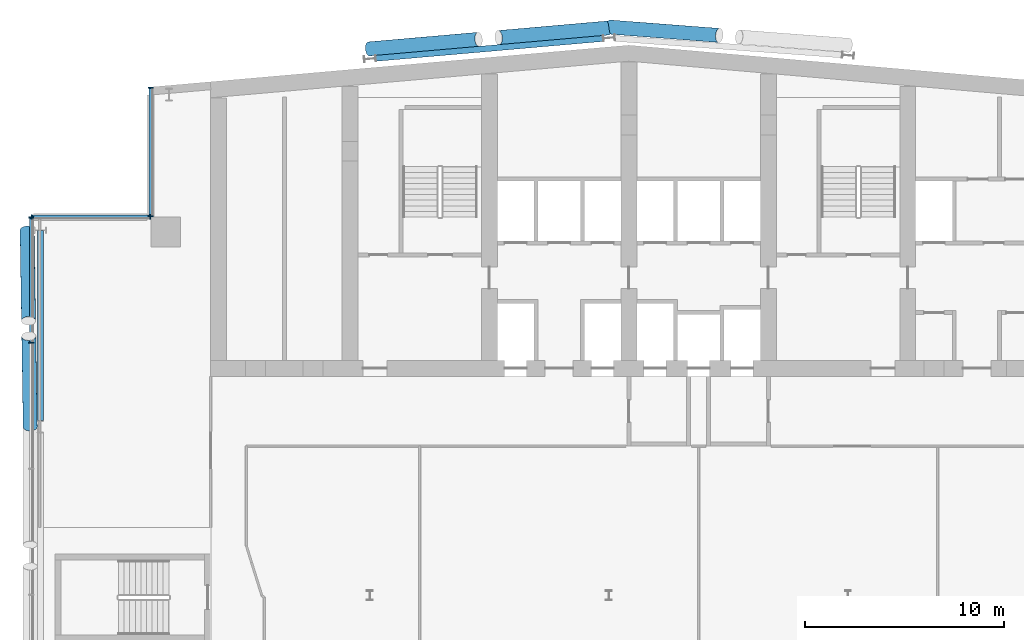
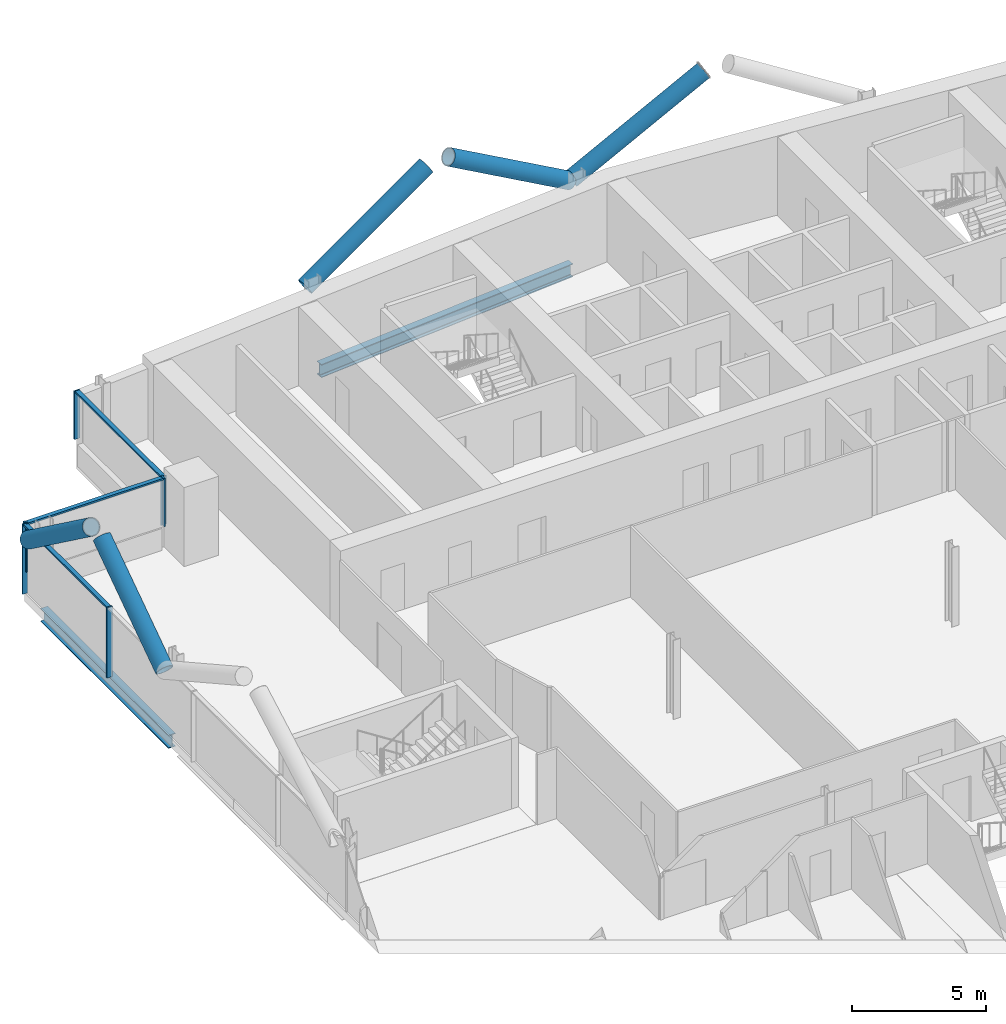
# One storey, part 9 of 26: 14 members, 2 beams, 3 elements without a shape of their own.
"""IFC4 building model written with IfcOpenShell, lengths in metres."""

from ifc_helpers import new_model, si_unit, direction, frame, origin, origin_2d, place, context, subcontext, project, spatial, rectangle, hollow_circle, i_section, extrude, material, material_profile, profile_set, type_object, element, aggregate, save


model = new_model("IFC4")

# Units and contexts
model_context = context("Model", 3, precision=1e-05, world=origin(), true_north=direction((0.0, 1.0)))
body_context = subcontext(model_context, "Body", "Model", "MODEL_VIEW")
ifc_project = project(units=[si_unit("LENGTHUNIT", "METRE"), si_unit("AREAUNIT", "SQUARE_METRE"), si_unit("VOLUMEUNIT", "CUBIC_METRE"), si_unit("PLANEANGLEUNIT", "RADIAN"), si_unit("MASSUNIT", "GRAM", prefix="KILO")], contexts=[model_context])

# Site, building, storey
site_placement = place(None, origin())
site = spatial("IfcSite", under=ifc_project, at=site_placement, CompositionType="ELEMENT")
building_placement = place(site_placement, origin())
building = spatial("IfcBuilding", under=site, at=building_placement, Name="Wharfspan Tower", CompositionType="ELEMENT")
storey_placement = place(building_placement, frame((0.0, 0.0, 184.300049)))
storey = spatial("IfcBuildingStorey", under=building, at=storey_placement, Name="L45", CompositionType="ELEMENT", Elevation=184.300049)

# Beams
ifc_material_1 = material(Name="Steel S355J2", Category="steel")
ifc_material_profile_1 = material_profile(ifc_material_1, i_section(OverallWidth=0.300049, OverallDepth=0.600098, WebThickness=0.015381, FlangeThickness=0.030029, FilletRadius=0.0271, at=origin_2d()))
ifc_profile_set_1 = profile_set([ifc_material_profile_1], Name="Steel S355J2")
beam_type = type_object("IfcBeamType", Name="Edge beam HEB 600", PredefinedType="SPANDREL", material=ifc_profile_set_1)
beam_1_placement = place(storey_placement, frame((35.705078, 50.961426, -0.699951), z_axis=(-0.996194, -0.087158, 0.0), x_axis=(0.087158, -0.996194, 0.0)))
element("IfcBeam", 1, at=beam_1_placement, inside=storey, type_object=beam_type, Name="Edge beam N1 L45 R.2 to R.1", PredefinedType="SPANDREL", context=body_context, shape_type="SweptSolid", body=[
    extrude(i_section(OverallWidth=0.300049, OverallDepth=0.600098, WebThickness=0.015381, FlangeThickness=0.030029, FilletRadius=0.0271, at=origin_2d()), origin(), (0.0, 0.0, 1.0), 11.453857),
])
beam_2_placement = place(storey_placement, frame((7.450439, 41.32666, -0.699951), z_axis=(-5.1e-05, -1.0, 0.0), x_axis=(1.0, -5.1e-05, 0.0)))
element("IfcBeam", 2, at=beam_2_placement, inside=storey, type_object=beam_type, Name="Edge beam W L45 PNRW-H.1 to PW.1", PredefinedType="SPANDREL", context=body_context, shape_type="SweptSolid", body=[
    extrude(i_section(OverallWidth=0.300049, OverallDepth=0.600098, WebThickness=0.015381, FlangeThickness=0.030029, FilletRadius=0.0271, at=origin_2d()), origin(), (0.0, 0.0, 1.0), 9.553955),
])

# Curtain wall, members
ifc_material_2 = material(Name="Aluminium 6063-T6", Category="aluminium")
curtain_wall_type = type_object("IfcCurtainWallType", Name="CURTAIN WALL PROW AND END", PredefinedType="NOTDEFINED", material=ifc_material_2)
curtain_wall_1_placement = place(storey_placement, origin())
curtain_wall_1 = element("IfcCurtainWall", 3, at=curtain_wall_1_placement, inside=storey, type_object=curtain_wall_type, Name="Curtain wall NRW-V", PredefinedType="NOTDEFINED")
ifc_material_profile_2 = material_profile(ifc_material_2, rectangle(XDim=0.23999, YDim=0.060059, at=origin_2d()))
ifc_profile_set_2 = profile_set([ifc_material_profile_2], Name="Aluminium 6063-T6")
member_type_1 = type_object("IfcMemberType", Name="MULLION PROW AND END 60x240", PredefinedType="MULLION", material=ifc_profile_set_2)
member_1_placement = place(storey_placement, frame((13.0, 48.494873, 1.0), z_axis=(0.0, 0.0, 1.0), x_axis=(1.0, 0.0, 0.0)))
member_1 = element("IfcMember", 4, at=member_1_placement, type_object=member_type_1, Name="Curtain wall NRW-V mullion 1", PredefinedType="MULLION", context=body_context, shape_type="SweptSolid", body=[
    extrude(rectangle(XDim=0.23999, YDim=0.060059, at=origin_2d()), origin(), (0.0, 0.0, 1.0), 2.199951),
])
member_2_placement = place(storey_placement, frame((13.0, 42.030029, 1.0), z_axis=(0.0, 0.0, 1.0), x_axis=(1.0, 0.0, 0.0)))
member_2 = element("IfcMember", 5, at=member_2_placement, type_object=member_type_1, Name="Curtain wall NRW-V mullion 2", PredefinedType="MULLION", context=body_context, shape_type="SweptSolid", body=[
    extrude(rectangle(XDim=0.23999, YDim=0.060059, at=origin_2d()), origin(), (0.0, 0.0, 1.0), 2.199951),
])

curtain_wall_2_placement = place(storey_placement, origin())
curtain_wall_2 = element("IfcCurtainWall", 6, at=curtain_wall_2_placement, inside=storey, type_object=curtain_wall_type, Name="Curtain wall NRW-H", PredefinedType="NOTDEFINED")
member_3_placement = place(storey_placement, frame((12.969971, 42.0, 1.0), z_axis=(0.0, 0.0, 1.0), x_axis=(0.0, -1.0, 0.0)))
member_3 = element("IfcMember", 7, at=member_3_placement, type_object=member_type_1, Name="Curtain wall NRW-H mullion 1", PredefinedType="MULLION", context=body_context, shape_type="SweptSolid", body=[
    extrude(rectangle(XDim=0.23999, YDim=0.060059, at=origin_2d()), origin(), (0.0, 0.0, 1.0), 2.199951),
])
member_4_placement = place(storey_placement, frame((7.030029, 42.0, 1.0), z_axis=(0.0, 0.0, 1.0), x_axis=(0.0, -1.0, 0.0)))
member_4 = element("IfcMember", 8, at=member_4_placement, type_object=member_type_1, Name="Curtain wall NRW-H mullion 2", PredefinedType="MULLION", context=body_context, shape_type="SweptSolid", body=[
    extrude(rectangle(XDim=0.23999, YDim=0.060059, at=origin_2d()), origin(), (0.0, 0.0, 1.0), 2.199951),
])

curtain_wall_3_placement = place(storey_placement, origin())
curtain_wall_3 = element("IfcCurtainWall", 9, at=curtain_wall_3_placement, inside=storey, type_object=curtain_wall_type, Name="Curtain wall W", PredefinedType="NOTDEFINED")
member_5_placement = place(storey_placement, frame((7.0, 41.969971, 0.0), z_axis=(0.0, 0.0, 1.0), x_axis=(1.0, 0.0, 0.0)))
member_5 = element("IfcMember", 10, at=member_5_placement, type_object=member_type_1, Name="Curtain wall W mullion 1", PredefinedType="MULLION", context=body_context, shape_type="SweptSolid", body=[
    extrude(rectangle(XDim=0.23999, YDim=0.060059, at=origin_2d()), origin(), (0.0, 0.0, 1.0), 3.199951),
])
member_6_placement = place(storey_placement, frame((7.0, 35.679932, 0.0), z_axis=(0.0, 0.0, 1.0), x_axis=(1.0, 0.0, 0.0)))
member_6 = element("IfcMember", 11, at=member_6_placement, type_object=member_type_1, Name="Curtain wall W mullion 2", PredefinedType="MULLION", context=body_context, shape_type="SweptSolid", body=[
    extrude(rectangle(XDim=0.23999, YDim=0.060059, at=origin_2d()), origin(), (0.0, 0.0, 1.0), 3.199951),
])

# Members
ifc_material_3 = material(Name="Steel S460NH", Category="steel")
ifc_material_profile_3 = material_profile(ifc_material_3, hollow_circle(Radius=0.355469, WallThickness=0.035889, at=origin_2d()))
ifc_profile_set_3 = profile_set([ifc_material_profile_3], Name="Steel S460NH")
member_type_2 = type_object("IfcMemberType", Name="Mega brace CHS 711x36", PredefinedType="BRACE", material=ifc_profile_set_3)
for number, where, z_axis, x_axis, name in (
    (12, (6.788086, 41.333008, 2.899902), (0.01285, -0.807696, 0.589459), (0.999875, 0.015906, -2e-06), "Mega brace W4 L46 part 1"),
    (13, (6.945068, 31.466553, 2.899902), (-0.01285, 0.807711, 0.589439), (-0.999876, -0.015905, -3e-06), "Mega brace W4 L46 part 3"),
):
    element("IfcMember", number, at=place(storey_placement, frame(where, z_axis=z_axis, x_axis=x_axis)), inside=storey, type_object=member_type_2, Name=name, PredefinedType="BRACE", context=body_context, shape_type="SweptSolid", body=[
        extrude(hollow_circle(Radius=0.355469, WallThickness=0.035889, at=origin_2d()), origin(), (0.0, 0.0, 1.0), 5.623779),
    ])
member_7_placement = place(storey_placement, frame((23.956299, 50.437988, 2.899902), z_axis=(0.855083, 0.074809, 0.513065), x_axis=(-0.087154, 0.996196, -1e-06)))
element("IfcMember", 14, at=member_7_placement, inside=storey, type_object=member_type_2, Name="Mega brace N7 L46 part 1", PredefinedType="BRACE", context=body_context, shape_type="SweptSolid", body=[
    extrude(hollow_circle(Radius=0.355469, WallThickness=0.035889, at=origin_2d()), origin(), (0.0, 0.0, 1.0), 6.425781),
])
member_8_placement = place(storey_placement, frame((35.956299, 51.487793, 2.899902), z_axis=(-0.855094, -0.074807, 0.513049), x_axis=(0.087152, -0.996192, 2e-06)))
element("IfcMember", 15, at=member_8_placement, inside=storey, type_object=member_type_2, Name="Mega brace N7 L46 part 3", PredefinedType="BRACE", context=body_context, shape_type="SweptSolid", body=[
    extrude(hollow_circle(Radius=0.355469, WallThickness=0.035889, at=origin_2d()), origin(), (0.0, 0.0, 1.0), 6.426025),
])
member_9_placement = place(storey_placement, frame((36.039795, 51.53418, 2.899902), z_axis=(0.855596, -0.065362, 0.513502), x_axis=(0.076171, 0.997095, 1e-06)))
element("IfcMember", 16, at=member_9_placement, inside=storey, type_object=member_type_2, Name="Mega brace N8 L46 part 1", PredefinedType="BRACE", context=body_context, shape_type="SweptSolid", body=[
    extrude(hollow_circle(Radius=0.355469, WallThickness=0.035889, at=origin_2d()), origin(), (0.0, 0.0, 1.0), 6.420898),
])

# Member
ifc_material_profile_4 = material_profile(ifc_material_2, rectangle(XDim=0.179932, YDim=0.080078, at=origin_2d()))
ifc_profile_set_4 = profile_set([ifc_material_profile_4], Name="Aluminium 6063-T6")
member_type_3 = type_object("IfcMemberType", Name="TRANSOM PROW AND END 80x180", PredefinedType="USERDEFINED", material=ifc_profile_set_4)
member_10_placement = place(storey_placement, frame((13.0, 48.464844, 3.159912), z_axis=(0.0, -1.0, 0.0), x_axis=(1.0, 0.0, 0.0)))
member_10 = element("IfcMember", 17, at=member_10_placement, type_object=member_type_3, Name="Curtain wall NRW-V transom 1", ObjectType="TRANSOM", PredefinedType="USERDEFINED", context=body_context, shape_type="SweptSolid", body=[
    extrude(rectangle(XDim=0.179932, YDim=0.080078, at=origin_2d()), origin(), (0.0, 0.0, 1.0), 6.404785),
])

aggregate(curtain_wall_1, [member_1, member_2, member_10])

member_11_placement = place(storey_placement, frame((12.939941, 42.0, 3.159912), z_axis=(-1.0, 0.0, 0.0), x_axis=(0.0, -1.0, 0.0)))
member_11 = element("IfcMember", 18, at=member_11_placement, type_object=member_type_3, Name="Curtain wall NRW-H transom 1", ObjectType="TRANSOM", PredefinedType="USERDEFINED", context=body_context, shape_type="SweptSolid", body=[
    extrude(rectangle(XDim=0.179932, YDim=0.080078, at=origin_2d()), origin(), (0.0, 0.0, 1.0), 5.879883),
])

aggregate(curtain_wall_2, [member_3, member_4, member_11])

member_12_placement = place(storey_placement, frame((7.0, 41.939941, 3.159912), z_axis=(0.0, -1.0, 0.0), x_axis=(1.0, 0.0, 0.0)))
member_12 = element("IfcMember", 19, at=member_12_placement, type_object=member_type_3, Name="Curtain wall W transom 1", ObjectType="TRANSOM", PredefinedType="USERDEFINED", context=body_context, shape_type="SweptSolid", body=[
    extrude(rectangle(XDim=0.179932, YDim=0.080078, at=origin_2d()), origin(), (0.0, 0.0, 1.0), 6.22998),
])

aggregate(curtain_wall_3, [member_5, member_6, member_12])

save(model, "model.ifc")
